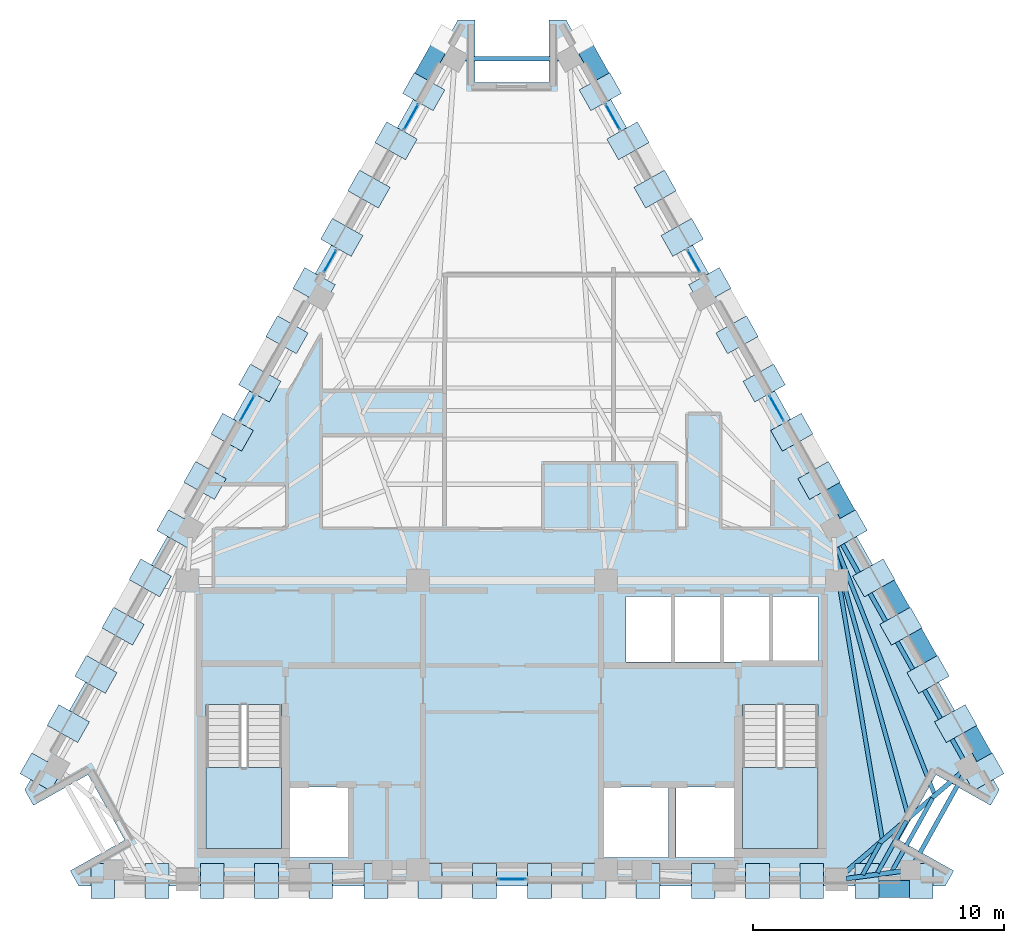
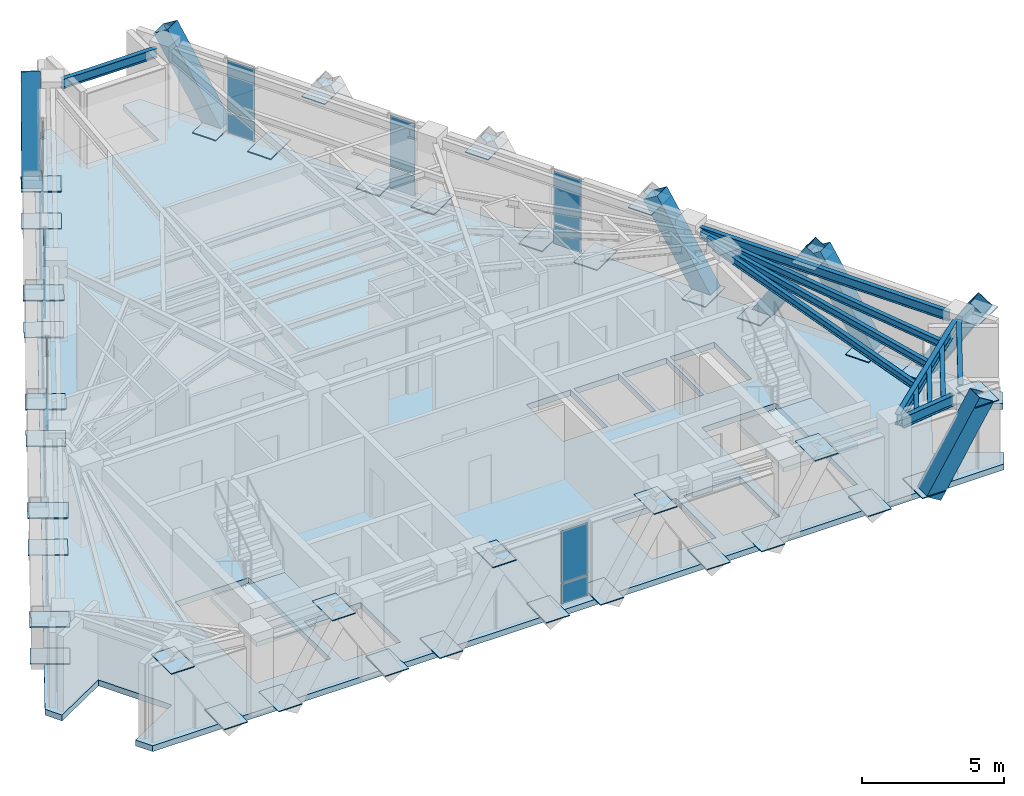
# One storey, part 4 of 9: 60 plates, 11 beams, 7 members, 3 slabs, 9 elements without a shape of their own.
"""IFC4 building model written with IfcOpenShell, lengths in metres."""

from ifc_helpers import new_model, si_unit, direction, frame, origin, origin_2d, place, context, subcontext, project, spatial, polyline, rectangle, hollow_rectangle, i_section, outline, extrude, material, layer, layer_set, material_profile, profile_set, type_object, element, aggregate, save


model = new_model("IFC4")

# Units and contexts
model_context = context("Model", 3, precision=1e-05, world=origin(), true_north=direction((0.0, 1.0)))
body_context = subcontext(model_context, "Body", "Model", "MODEL_VIEW")
ifc_project = project(units=[si_unit("LENGTHUNIT", "METRE"), si_unit("AREAUNIT", "SQUARE_METRE"), si_unit("VOLUMEUNIT", "CUBIC_METRE"), si_unit("PLANEANGLEUNIT", "RADIAN"), si_unit("MASSUNIT", "GRAM", prefix="KILO")], contexts=[model_context])

# Site, building, storey
site_placement = place(None, origin())
site = spatial("IfcSite", under=ifc_project, at=site_placement, CompositionType="ELEMENT")
building_placement = place(site_placement, origin())
building = spatial("IfcBuilding", under=site, at=building_placement, Name="Quenlor Broadcast Tower", CompositionType="ELEMENT")
storey_placement = place(building_placement, frame((0.0, 0.0, 246.39990234375)))
storey = spatial("IfcBuildingStorey", under=building, at=storey_placement, Name="L68", CompositionType="ELEMENT", Elevation=246.39990234375)

# Members
ifc_material_1 = material(Name="Steel S355", Category="steel")
ifc_material_profile_1 = material_profile(ifc_material_1, hollow_rectangle(XDim=0.679931640625, YDim=0.679931640625, WallThickness=0.02001953125, at=origin_2d()))
ifc_profile_set_1 = profile_set([ifc_material_profile_1], Name="Steel S355 RHS680x680x20")
member_type = type_object("IfcMemberType", Name="Perimeter Diagonal Lattice Brace Z5-Crown Steel S355 RHS680x20", PredefinedType="BRACE", material=ifc_profile_set_1)
member_placement = place(storey_placement, frame((14.165771484375, -17.1201171875, -0.119873046875), z_axis=(0.523616565236, 0.0, 0.85195404372), x_axis=(0.0, 1.0, 0.0)))
element("IfcMember", 1, at=member_placement, inside=storey, type_object=member_type, Name="L68 Perimeter Diamond Lattice S-C1B", PredefinedType="BRACE", context=body_context, shape_type="SweptSolid", body=[
    extrude(hollow_rectangle(XDim=0.679931640625, YDim=0.679931640625, WallThickness=0.02001953125, at=origin_2d()), origin(), (0.0, 0.0, 1.0), 4.108154296875),
])
for number, where, z_axis, x_axis, name in (
    (2, (3.813720703125, 14.864990234375, -0.119873046875), (-0.260618804175, 0.463276364439, 0.847025884529), (-0.8715547569, -0.490298180422, 0.0), "L68 Perimeter Diamond Lattice NE-C1B"),
    (3, (14.725830078125, -4.534423828125, -0.119873046875), (0.260563732169, -0.463283497491, 0.847038926161), (0.871602253711, 0.49021374045, 0.0), "L68 Perimeter Diamond Lattice NE-C4S"),
    (4, (13.622802734375, -2.573486328125, -0.119873046875), (-0.260618804175, 0.463276364439, 0.847025884529), (-0.8715547569, -0.490298180422, 0.0), "L68 Perimeter Diamond Lattice NE-C4B"),
    (5, (17.99560546875, -10.34716796875, -0.119873046875), (0.260563732169, -0.463283497491, 0.847038926161), (0.871602253711, 0.49021374045, 0.0), "L68 Perimeter Diamond Lattice NE-C5S"),
    (6, (16.892578125, -8.38623046875, -0.119873046875), (-0.260618804175, 0.463276364439, 0.847025884529), (-0.8715547569, -0.490298180422, 0.0), "L68 Perimeter Diamond Lattice NE-C5B"),
    (7, (-3.813720703125, 14.864990234375, -0.119873046875), (0.260618804175, 0.463276364439, 0.847025884529), (-0.8715547569, 0.490298180422, 0.0), "L68 Perimeter Diamond Lattice NW-C5S"),
):
    element("IfcMember", number, at=place(storey_placement, frame(where, z_axis=z_axis, x_axis=x_axis)), inside=storey, type_object=member_type, Name=name, PredefinedType="BRACE", context=body_context, shape_type="SweptSolid", body=[
        extrude(hollow_rectangle(XDim=0.679931640625, YDim=0.679931640625, WallThickness=0.02001953125, at=origin_2d()), origin(), (0.0, 0.0, 1.0), 4.132080078125),
    ])

# Beams
ifc_material_2 = material(Name="Steel S355", Category="steel")
ifc_material_profile_2 = material_profile(ifc_material_2, i_section(OverallWidth=0.177978515625, OverallDepth=0.406494140625, WebThickness=0.0078125, FlangeThickness=0.0126953125, FilletRadius=0.011474609375, at=origin_2d()))
ifc_profile_set_2 = profile_set([ifc_material_profile_2], Name="Steel S355 410UB59.7")
beam_type_1 = type_object("IfcBeamType", Name="Perimeter Spandrel Beam Z5 Steel S355 410UB59.7", PredefinedType="SPANDREL", material=ifc_profile_set_2)
beam_1_placement = place(storey_placement, frame((16.07275390625, -16.035400390625, 3.046875), z_axis=(0.486800618374, 0.873513112638, 0.0), x_axis=(-0.873513112638, 0.486800618374, 0.0)))
element("IfcBeam", 8, at=beam_1_placement, inside=storey, type_object=beam_type_1, Name="L68 Spandrel Beam S4-NE1", PredefinedType="SPANDREL", context=body_context, shape_type="SweptSolid", body=[
    extrude(i_section(OverallWidth=0.177978515625, OverallDepth=0.406494140625, WebThickness=0.0078125, FlangeThickness=0.0126953125, FilletRadius=0.011474609375, at=origin_2d()), origin(), (0.0, 0.0, 1.0), 3.9736328125),
])
beam_2_placement = place(storey_placement, frame((18.005859375, -11.93603515625, 3.046875), z_axis=(-0.490274867878, 0.871567871096, 0.0), x_axis=(-0.871567871096, -0.490274867878, 0.0)))
element("IfcBeam", 9, at=beam_2_placement, inside=storey, type_object=beam_type_1, Name="L68 Spandrel Beam NE1-NE2", PredefinedType="SPANDREL", context=body_context, shape_type="SweptSolid", body=[
    extrude(i_section(OverallWidth=0.177978515625, OverallDepth=0.406494140625, WebThickness=0.0078125, FlangeThickness=0.0126953125, FilletRadius=0.011474609375, at=origin_2d()), origin(), (0.0, 0.0, 1.0), 10.206298828125),
])
beam_3_placement = place(storey_placement, frame((1.9248046875, 16.012451171875, 3.046875), z_axis=(-1.0, 0.0, 0.0), x_axis=(0.0, -1.0, 0.0)))
element("IfcBeam", 10, at=beam_3_placement, inside=storey, type_object=beam_type_1, Name="L68 Spandrel Beam NE4-NW1", PredefinedType="SPANDREL", context=body_context, shape_type="SweptSolid", body=[
    extrude(i_section(OverallWidth=0.177978515625, OverallDepth=0.406494140625, WebThickness=0.0078125, FlangeThickness=0.0126953125, FilletRadius=0.011474609375, at=origin_2d()), origin(), (0.0, 0.0, 1.0), 3.849609375),
])
ifc_material_3 = material(Name="Steel S355", Category="steel")
ifc_material_profile_3 = material_profile(ifc_material_3, i_section(OverallWidth=0.166015625, OverallDepth=0.30712890625, WebThickness=0.006591796875, FlangeThickness=0.01171875, FilletRadius=0.011474609375, at=origin_2d()))
ifc_profile_set_3 = profile_set([ifc_material_profile_3], Name="Steel S355 310UB46.2")
beam_type_2 = type_object("IfcBeamType", Name="Tower Composite Joist Z4-Z5 Steel S355 310UB46.2", PredefinedType="JOIST", material=ifc_profile_set_3)
beam_4_placement = place(storey_placement, frame((14.76806640625, -15.09619140625, 3.096435546875), z_axis=(-0.166553293246, 0.986032454085, 0.0), x_axis=(-0.986032454085, -0.166553293246, 0.0)))
element("IfcBeam", 11, at=beam_4_placement, inside=storey, type_object=beam_type_2, Name="L68 Secondary Composite Joist 16", PredefinedType="JOIST", context=body_context, shape_type="SweptSolid", body=[
    extrude(i_section(OverallWidth=0.166015625, OverallDepth=0.30712890625, WebThickness=0.006591796875, FlangeThickness=0.01171875, FilletRadius=0.011474609375, at=origin_2d()), origin(), (0.0, 0.0, 1.0), 11.097900390625),
])
beam_5_placement = place(storey_placement, frame((15.806396484375, -14.197998046875, 3.096435546875), z_axis=(-0.26744552871, 0.96357298072, 0.0), x_axis=(-0.96357298072, -0.26744552871, 0.0)))
element("IfcBeam", 12, at=beam_5_placement, inside=storey, type_object=beam_type_2, Name="L68 Secondary Composite Joist 17", PredefinedType="JOIST", context=body_context, shape_type="SweptSolid", body=[
    extrude(i_section(OverallWidth=0.166015625, OverallDepth=0.30712890625, WebThickness=0.006591796875, FlangeThickness=0.01171875, FilletRadius=0.011474609375, at=origin_2d()), origin(), (0.0, 0.0, 1.0), 10.856689453125),
])
beam_6_placement = place(storey_placement, frame((16.8447265625, -13.300537109375, 3.096435546875), z_axis=(-0.368680258049, 0.929556274426, 0.0), x_axis=(-0.929556274426, -0.368680258049, 0.0)))
element("IfcBeam", 13, at=beam_6_placement, inside=storey, type_object=beam_type_2, Name="L68 Secondary Composite Joist 18", PredefinedType="JOIST", context=body_context, shape_type="SweptSolid", body=[
    extrude(i_section(OverallWidth=0.166015625, OverallDepth=0.30712890625, WebThickness=0.006591796875, FlangeThickness=0.01171875, FilletRadius=0.011474609375, at=origin_2d()), origin(), (0.0, 0.0, 1.0), 10.737548828125),
])
beam_7_placement = place(storey_placement, frame((13.9912109375, -16.544189453125, 3.096435546875), z_axis=(0.486624304452, 0.873611347406, 0.0), x_axis=(-0.873611347406, 0.486624304452, 0.0)))
element("IfcBeam", 14, at=beam_7_placement, inside=storey, type_object=beam_type_2, Name="L68 Secondary Composite Joist 22", PredefinedType="JOIST", context=body_context, shape_type="SweptSolid", body=[
    extrude(i_section(OverallWidth=0.166015625, OverallDepth=0.30712890625, WebThickness=0.006591796875, FlangeThickness=0.01171875, FilletRadius=0.011474609375, at=origin_2d()), origin(), (0.0, 0.0, 1.0), 1.435791015625),
])
beam_8_placement = place(storey_placement, frame((14.58056640625, -16.464111328125, 3.096435546875), z_axis=(0.486820963037, 0.873501774439, 0.0), x_axis=(-0.873501774439, 0.486820963037, 0.0)))
element("IfcBeam", 15, at=beam_8_placement, inside=storey, type_object=beam_type_2, Name="L68 Secondary Composite Joist 23", PredefinedType="JOIST", context=body_context, shape_type="SweptSolid", body=[
    extrude(i_section(OverallWidth=0.166015625, OverallDepth=0.30712890625, WebThickness=0.006591796875, FlangeThickness=0.01171875, FilletRadius=0.011474609375, at=origin_2d()), origin(), (0.0, 0.0, 1.0), 2.37451171875),
])
beam_9_placement = place(storey_placement, frame((15.170166015625, -16.384033203125, 3.096435546875), z_axis=(0.486762404011, 0.873534408046, 0.0), x_axis=(-0.873534408046, 0.486762404011, 0.0)))
element("IfcBeam", 16, at=beam_9_placement, inside=storey, type_object=beam_type_2, Name="L68 Secondary Composite Joist 24", PredefinedType="JOIST", context=body_context, shape_type="SweptSolid", body=[
    extrude(i_section(OverallWidth=0.166015625, OverallDepth=0.30712890625, WebThickness=0.006591796875, FlangeThickness=0.01171875, FilletRadius=0.011474609375, at=origin_2d()), origin(), (0.0, 0.0, 1.0), 3.313232421875),
])
ifc_material_4 = material(Name="Steel S355", Category="steel")
ifc_material_profile_4 = material_profile(ifc_material_4, i_section(OverallWidth=0.19091796875, OverallDepth=0.46044921875, WebThickness=0.010009765625, FlangeThickness=0.01611328125, FilletRadius=0.011474609375, at=origin_2d()))
ifc_profile_set_4 = profile_set([ifc_material_profile_4], Name="Steel S355 460UB82.1")
beam_type_3 = type_object("IfcBeamType", Name="Tower Primary Floor Beam Z5 Steel S355 460UB82.1", PredefinedType="BEAM", material=ifc_profile_set_4)
beam_10_placement = place(storey_placement, frame((15.541015625, -16.3984375, 3.02001953125), z_axis=(-0.990917044125, -0.134474576267, 0.0), x_axis=(0.134474576267, -0.990917044125, 0.0)))
element("IfcBeam", 17, at=beam_10_placement, inside=storey, type_object=beam_type_3, Name="L68 Primary Radial Beam S4", PredefinedType="BEAM", context=body_context, shape_type="SweptSolid", body=[
    extrude(i_section(OverallWidth=0.19091796875, OverallDepth=0.46044921875, WebThickness=0.010009765625, FlangeThickness=0.01611328125, FilletRadius=0.011474609375, at=origin_2d()), origin(), (0.0, 0.0, 1.0), 2.23486328125),
])
beam_11_placement = place(storey_placement, frame((17.909423828125, -12.484619140625, 3.02001953125), z_axis=(-0.75817030855, -0.652056579779, 0.0), x_axis=(0.652056579779, -0.75817030855, 0.0)))
element("IfcBeam", 18, at=beam_11_placement, inside=storey, type_object=beam_type_3, Name="L68 Primary Radial Beam NE1", PredefinedType="BEAM", context=body_context, shape_type="SweptSolid", body=[
    extrude(i_section(OverallWidth=0.19091796875, OverallDepth=0.46044921875, WebThickness=0.010009765625, FlangeThickness=0.01611328125, FilletRadius=0.011474609375, at=origin_2d()), origin(), (0.0, 0.0, 1.0), 6.161376953125),
])

# Curtain wall, plates
ifc_material_5 = material(Name="Architectural Terracotta and Low-E Glazing", Category="masonry")
curtain_wall_type = type_object("IfcCurtainWallType", Name="Unitised Terracotta Curtain Wall System Z5", PredefinedType="NOTDEFINED", material=ifc_material_5)
curtain_wall_1_placement = place(storey_placement, origin())
curtain_wall_1 = element("IfcCurtainWall", 19, at=curtain_wall_1_placement, inside=storey, type_object=curtain_wall_type, Name="L68 Curtain Wall CW5 (L68-S-G1)", PredefinedType="NOTDEFINED")
ifc_material_6 = material(Name="Double Glazed Low-E Solar Glass", Category="glass")
ifc_layer_1 = layer(ifc_material_6, 0.02587890625)
ifc_layer_set_1 = layer_set([ifc_layer_1], Name="CW5 Double Glazed Vision Panel 26")
plate_type_1 = type_object("IfcPlateType", Name="CW5 Double Glazed Vision Panel 26", PredefinedType="CURTAIN_PANEL", material=ifc_layer_set_1)
plate_1_placement = place(storey_placement, frame((0.0, -16.72509765625, 0.065185546875), z_axis=(0.0, 0.0, 1.0), x_axis=(-1.0, 0.0, 0.0)))
plate_1 = element("IfcPlate", 20, at=plate_1_placement, type_object=plate_type_1, Name="CW5 panel 1.1", PredefinedType="CURTAIN_PANEL", context=body_context, shape_type="SweptSolid", body=[
    extrude(rectangle(XDim=1.081298828125, YDim=0.02587890625, at=origin_2d()), origin(), (0.0, 0.0, 1.0), 0.8525390625),
])
plate_2_placement = place(storey_placement, frame((0.0, -16.72509765625, 0.982421875), z_axis=(0.0, 0.0, 1.0), x_axis=(-1.0, 0.0, 0.0)))
plate_2 = element("IfcPlate", 21, at=plate_2_placement, type_object=plate_type_1, Name="CW5 panel 1.2", PredefinedType="CURTAIN_PANEL", context=body_context, shape_type="SweptSolid", body=[
    extrude(rectangle(XDim=1.081298828125, YDim=0.02587890625, at=origin_2d()), origin(), (0.0, 0.0, 1.0), 2.202392578125),
])
aggregate(curtain_wall_1, [plate_1, plate_2])

curtain_wall_2_placement = place(storey_placement, origin())
curtain_wall_2 = element("IfcCurtainWall", 22, at=curtain_wall_2_placement, inside=storey, type_object=curtain_wall_type, Name="L68 Curtain Wall CW5 (L68-NEA-G1)", PredefinedType="NOTDEFINED")
plate_3_placement = place(storey_placement, frame((4.02099609375, 13.69091796875, 0.065185546875), z_axis=(0.0, 0.0, 1.0), x_axis=(0.49029137745, -0.871558583916, 0.0)))
plate_3 = element("IfcPlate", 23, at=plate_3_placement, type_object=plate_type_1, Name="CW5 panel 1.1", PredefinedType="CURTAIN_PANEL", context=body_context, shape_type="SweptSolid", body=[
    extrude(rectangle(XDim=1.13037109375, YDim=0.02587890625, at=origin_2d()), origin(), (0.0, 0.0, 1.0), 0.8525390625),
])
plate_4_placement = place(storey_placement, frame((4.02099609375, 13.69091796875, 0.982421875), z_axis=(0.0, 0.0, 1.0), x_axis=(0.49029137745, -0.871558583916, 0.0)))
plate_4 = element("IfcPlate", 24, at=plate_4_placement, type_object=plate_type_1, Name="CW5 panel 1.2", PredefinedType="CURTAIN_PANEL", context=body_context, shape_type="SweptSolid", body=[
    extrude(rectangle(XDim=1.13037109375, YDim=0.02587890625, at=origin_2d()), origin(), (0.0, 0.0, 1.0), 2.202392578125),
])
aggregate(curtain_wall_2, [plate_3, plate_4])

curtain_wall_3_placement = place(storey_placement, origin())
curtain_wall_3 = element("IfcCurtainWall", 25, at=curtain_wall_3_placement, inside=storey, type_object=curtain_wall_type, Name="L68 Curtain Wall CW5 (L68-NEA-G2)", PredefinedType="NOTDEFINED")
plate_5_placement = place(storey_placement, frame((7.258056640625, 7.935791015625, 0.065185546875), z_axis=(0.0, 0.0, 1.0), x_axis=(0.490282293669, -0.871563693894, 0.0)))
plate_5 = element("IfcPlate", 26, at=plate_5_placement, type_object=plate_type_1, Name="CW5 panel 1.1", PredefinedType="CURTAIN_PANEL", context=body_context, shape_type="SweptSolid", body=[
    extrude(rectangle(XDim=0.99755859375, YDim=0.02587890625, at=origin_2d()), origin(), (0.0, 0.0, 1.0), 0.8525390625),
])
plate_6_placement = place(storey_placement, frame((7.258056640625, 7.935791015625, 0.982421875), z_axis=(0.0, 0.0, 1.0), x_axis=(0.490282293669, -0.871563693894, 0.0)))
plate_6 = element("IfcPlate", 27, at=plate_6_placement, type_object=plate_type_1, Name="CW5 panel 1.2", PredefinedType="CURTAIN_PANEL", context=body_context, shape_type="SweptSolid", body=[
    extrude(rectangle(XDim=0.99755859375, YDim=0.02587890625, at=origin_2d()), origin(), (0.0, 0.0, 1.0), 2.202392578125),
])
aggregate(curtain_wall_3, [plate_5, plate_6])

curtain_wall_4_placement = place(storey_placement, origin())
curtain_wall_4 = element("IfcCurtainWall", 28, at=curtain_wall_4_placement, inside=storey, type_object=curtain_wall_type, Name="L68 Curtain Wall CW5 (L68-NE-G1)", PredefinedType="NOTDEFINED")
plate_7_placement = place(storey_placement, frame((10.560302734375, 2.065185546875, 0.065185546875), z_axis=(0.0, 0.0, 1.0), x_axis=(0.490231100048, -0.871592489955, 0.0)))
plate_7 = element("IfcPlate", 29, at=plate_7_placement, type_object=plate_type_1, Name="CW5 panel 1.1", PredefinedType="CURTAIN_PANEL", context=body_context, shape_type="SweptSolid", body=[
    extrude(rectangle(XDim=1.130126953125, YDim=0.02587890625, at=origin_2d()), origin(), (0.0, 0.0, 1.0), 0.8525390625),
])
plate_8_placement = place(storey_placement, frame((10.560302734375, 2.065185546875, 0.982421875), z_axis=(0.0, 0.0, 1.0), x_axis=(0.490231100048, -0.871592489955, 0.0)))
plate_8 = element("IfcPlate", 30, at=plate_8_placement, type_object=plate_type_1, Name="CW5 panel 1.2", PredefinedType="CURTAIN_PANEL", context=body_context, shape_type="SweptSolid", body=[
    extrude(rectangle(XDim=1.130126953125, YDim=0.02587890625, at=origin_2d()), origin(), (0.0, 0.0, 1.0), 2.202392578125),
])
aggregate(curtain_wall_4, [plate_7, plate_8])

curtain_wall_5_placement = place(storey_placement, origin())
curtain_wall_5 = element("IfcCurtainWall", 31, at=curtain_wall_5_placement, inside=storey, type_object=curtain_wall_type, Name="L68 Curtain Wall CW5 (L68-NWC-G1)", PredefinedType="NOTDEFINED")
plate_9_placement = place(storey_placement, frame((-7.258056640625, 7.935791015625, 0.065185546875), z_axis=(0.0, 0.0, 1.0), x_axis=(0.490282293669, 0.871563693894, 0.0)))
plate_9 = element("IfcPlate", 32, at=plate_9_placement, type_object=plate_type_1, Name="CW5 panel 1.1", PredefinedType="CURTAIN_PANEL", context=body_context, shape_type="SweptSolid", body=[
    extrude(rectangle(XDim=0.99755859375, YDim=0.02587890625, at=origin_2d()), origin(), (0.0, 0.0, 1.0), 0.8525390625),
])
plate_10_placement = place(storey_placement, frame((-7.258056640625, 7.935791015625, 0.982421875), z_axis=(0.0, 0.0, 1.0), x_axis=(0.490282293669, 0.871563693894, 0.0)))
plate_10 = element("IfcPlate", 33, at=plate_10_placement, type_object=plate_type_1, Name="CW5 panel 1.2", PredefinedType="CURTAIN_PANEL", context=body_context, shape_type="SweptSolid", body=[
    extrude(rectangle(XDim=0.99755859375, YDim=0.02587890625, at=origin_2d()), origin(), (0.0, 0.0, 1.0), 2.202392578125),
])
aggregate(curtain_wall_5, [plate_9, plate_10])

curtain_wall_6_placement = place(storey_placement, origin())
curtain_wall_6 = element("IfcCurtainWall", 34, at=curtain_wall_6_placement, inside=storey, type_object=curtain_wall_type, Name="L68 Curtain Wall CW5 (L68-NWC-G2)", PredefinedType="NOTDEFINED")
plate_11_placement = place(storey_placement, frame((-4.02099609375, 13.69091796875, 0.065185546875), z_axis=(0.0, 0.0, 1.0), x_axis=(0.49029137745, 0.871558583916, 0.0)))
plate_11 = element("IfcPlate", 35, at=plate_11_placement, type_object=plate_type_1, Name="CW5 panel 1.1", PredefinedType="CURTAIN_PANEL", context=body_context, shape_type="SweptSolid", body=[
    extrude(rectangle(XDim=1.13037109375, YDim=0.02587890625, at=origin_2d()), origin(), (0.0, 0.0, 1.0), 0.8525390625),
])
plate_12_placement = place(storey_placement, frame((-4.02099609375, 13.69091796875, 0.982421875), z_axis=(0.0, 0.0, 1.0), x_axis=(0.49029137745, 0.871558583916, 0.0)))
plate_12 = element("IfcPlate", 36, at=plate_12_placement, type_object=plate_type_1, Name="CW5 panel 1.2", PredefinedType="CURTAIN_PANEL", context=body_context, shape_type="SweptSolid", body=[
    extrude(rectangle(XDim=1.13037109375, YDim=0.02587890625, at=origin_2d()), origin(), (0.0, 0.0, 1.0), 2.202392578125),
])
aggregate(curtain_wall_6, [plate_11, plate_12])

curtain_wall_7_placement = place(storey_placement, origin())
curtain_wall_7 = element("IfcCurtainWall", 37, at=curtain_wall_7_placement, inside=storey, type_object=curtain_wall_type, Name="L68 Curtain Wall CW5 (L68-NW-G1)", PredefinedType="NOTDEFINED")
plate_13_placement = place(storey_placement, frame((-10.560302734375, 2.065185546875, 0.065185546875), z_axis=(0.0, 0.0, 1.0), x_axis=(0.490231100048, 0.871592489955, 0.0)))
plate_13 = element("IfcPlate", 38, at=plate_13_placement, type_object=plate_type_1, Name="CW5 panel 1.1", PredefinedType="CURTAIN_PANEL", context=body_context, shape_type="SweptSolid", body=[
    extrude(rectangle(XDim=1.130126953125, YDim=0.02587890625, at=origin_2d()), origin(), (0.0, 0.0, 1.0), 0.8525390625),
])
plate_14_placement = place(storey_placement, frame((-10.560302734375, 2.065185546875, 0.982421875), z_axis=(0.0, 0.0, 1.0), x_axis=(0.490231100048, 0.871592489955, 0.0)))
plate_14 = element("IfcPlate", 39, at=plate_14_placement, type_object=plate_type_1, Name="CW5 panel 1.2", PredefinedType="CURTAIN_PANEL", context=body_context, shape_type="SweptSolid", body=[
    extrude(rectangle(XDim=1.130126953125, YDim=0.02587890625, at=origin_2d()), origin(), (0.0, 0.0, 1.0), 2.202392578125),
])
aggregate(curtain_wall_7, [plate_13, plate_14])

# Stair, slab
ifc_material_7 = material(Name="Precast concrete C40/50", Category="concrete")
stair_type = type_object("IfcStairType", Name="Precast Concrete C40/50 Dogleg Stair H350", PredefinedType="HALF_TURN_STAIR", material=ifc_material_7)
stair_1_placement = place(storey_placement, origin())
stair_1 = element("IfcStair", 40, at=stair_1_placement, inside=storey, type_object=stair_type, Name="L68 West Core Fire-Isolated Exit Stair ST-1", PredefinedType="HALF_TURN_STAIR")
ifc_material_8 = material(Name="Precast concrete C40/50", Category="concrete")
ifc_layer_2 = layer(ifc_material_8, 0.199951171875)
ifc_layer_set_2 = layer_set([ifc_layer_2], Name="Precast Concrete C40/50 Stair Landing Slab 200")
slab_type_1 = type_object("IfcSlabType", Name="Precast Concrete C40/50 Stair Landing Slab 200", PredefinedType="LANDING", material=ifc_layer_set_2)
slab_1_placement = place(storey_placement, frame((0.0, 0.0, 1.550048828125)))
slab_1 = element("IfcSlab", 41, at=slab_1_placement, type_object=slab_type_1, Name="ST-1 landing 1", PredefinedType="LANDING", context=body_context, shape_type="SweptSolid", body=[
    extrude(outline(polyline([(-12.199951171875, -12.27001953125), (-12.199951171875, -15.5), (-9.199951171875, -15.5), (-9.199951171875, -12.27001953125), (-12.199951171875, -12.27001953125)])), origin(), (0.0, 0.0, 1.0), 0.199951171875),
])
aggregate(stair_1, [slab_1])

stair_2_placement = place(storey_placement, origin())
stair_2 = element("IfcStair", 42, at=stair_2_placement, inside=storey, type_object=stair_type, Name="L68 East Core Fire-Isolated Exit Stair ST-2", PredefinedType="HALF_TURN_STAIR")
slab_2_placement = place(storey_placement, frame((0.0, 0.0, 1.550048828125)))
slab_2 = element("IfcSlab", 43, at=slab_2_placement, type_object=slab_type_1, Name="ST-2 landing 1", PredefinedType="LANDING", context=body_context, shape_type="SweptSolid", body=[
    extrude(outline(polyline([(9.199951171875, -12.27001953125), (9.199951171875, -15.5), (12.199951171875, -15.5), (12.199951171875, -12.27001953125), (9.199951171875, -12.27001953125)])), origin(), (0.0, 0.0, 1.0), 0.199951171875),
])
aggregate(stair_2, [slab_2])

# Slab
ifc_material_9 = material(Name="Concrete C40/50", Category="concrete")
ifc_layer_3 = layer(ifc_material_9, 0.25)
ifc_layer_set_3 = layer_set([ifc_layer_3], Name="Tower Composite Concrete C40/50 Slab 250")
slab_type_2 = type_object("IfcSlabType", Name="Tower Composite Concrete C40/50 Slab 250", PredefinedType="FLOOR", material=ifc_layer_set_3)
slab_3_placement = place(storey_placement, frame((0.0, 0.0, -0.25)))
element("IfcSlab", 44, at=slab_3_placement, inside=storey, type_object=slab_type_2, Name="L68 Structural Floor Slab", PredefinedType="FLOOR", context=body_context, shape_type="SweptSolid", body=[
    extrude(outline(polyline([(17.280029296875, -17.0), (17.62548828125, -16.385498046875), (15.44677734375, -15.159912109375), (16.91552734375, -12.548583984375), (19.094482421875, -13.7744140625), (19.43994140625, -13.159912109375), (2.159912109375, 17.56005859375), (1.46875, 17.56005859375), (1.46875, 15.06005859375), (-1.46875, 15.06005859375), (-1.46875, 17.56005859375), (-2.159912109375, 17.56005859375), (-19.43994140625, -13.159912109375), (-19.094482421875, -13.7744140625), (-16.91552734375, -12.548583984375), (-15.44677734375, -15.159912109375), (-17.62548828125, -16.385498046875), (-17.280029296875, -17.0), (17.280029296875, -17.0)]), holes=[polyline([(-12.199951171875, -9.758056640625), (-12.199951171875, -15.5), (-9.199951171875, -15.5), (-9.199951171875, -9.758056640625), (-12.199951171875, -9.758056640625)]), polyline([(9.199951171875, -9.758056640625), (9.199951171875, -15.5), (12.199951171875, -15.5), (12.199951171875, -9.758056640625), (9.199951171875, -9.758056640625)]), polyline([(4.550048828125, -8.050048828125), (6.35009765625, -8.050048828125), (6.35009765625, -5.449951171875), (4.550048828125, -5.449951171875), (4.550048828125, -8.050048828125)]), polyline([(6.5, -8.050048828125), (8.300048828125, -8.050048828125), (8.300048828125, -5.449951171875), (6.5, -5.449951171875), (6.5, -8.050048828125)]), polyline([(8.449951171875, -8.050048828125), (10.25, -8.050048828125), (10.25, -5.449951171875), (8.449951171875, -5.449951171875), (8.449951171875, -8.050048828125)]), polyline([(10.39990234375, -8.050048828125), (12.199951171875, -8.050048828125), (12.199951171875, -5.449951171875), (10.39990234375, -5.449951171875), (10.39990234375, -8.050048828125)]), polyline([(-8.85009765625, -15.85009765625), (-6.550048828125, -15.85009765625), (-6.550048828125, -13.050048828125), (-8.85009765625, -13.050048828125), (-8.85009765625, -15.85009765625)]), polyline([(6.550048828125, -15.85009765625), (8.85009765625, -15.85009765625), (8.85009765625, -13.050048828125), (6.550048828125, -13.050048828125), (6.550048828125, -15.85009765625)]), polyline([(3.64990234375, -15.85009765625), (6.25, -15.85009765625), (6.25, -13.050048828125), (3.64990234375, -13.050048828125), (3.64990234375, -15.85009765625)])]), origin(), (0.0, 0.0, 1.0), 0.25),
])

# Plates
ifc_material_10 = material(Name="Steel S355", Category="steel")
ifc_layer_4 = layer(ifc_material_10, 0.035888671875)
ifc_layer_set_4 = layer_set([ifc_layer_4], Name="Transfer Truss Steel S355 Gusset Node Plate 1400x950x36")
plate_type_2 = type_object("IfcPlateType", Name="Transfer Truss Steel S355 Gusset Node Plate 1400x950x36", PredefinedType="SHEET", material=ifc_layer_set_4)
for number, where, z_axis, x_axis, name in (
    (45, (11.96240234375, -16.784912109375, 0.0419921875), (0.0, 0.0, 1.0), (0.0, -1.0, 0.0), "L68 Lattice Tie Gusset Node S-B2"),
    (46, (9.798095703125, -16.784912109375, 3.18212890625), (0.0, 0.0, 1.0), (0.0, -1.0, 0.0), "L68 Lattice Tie Gusset Node S-T3"),
    (47, (14.165771484375, -16.784912109375, 0.0419921875), (0.0, 0.0, 1.0), (0.0, -1.0, 0.0), "L68 Lattice Tie Gusset Node S-B1"),
    (48, (16.330078125, -16.784912109375, 3.18212890625), (0.0, 0.0, 1.0), (0.0, -1.0, 0.0), "L68 Lattice Tie Gusset Node S-T0"),
    (49, (5.430419921875, -16.784912109375, 0.0419921875), (0.0, 0.0, 1.0), (0.0, -1.0, 0.0), "L68 Lattice Tie Gusset Node S-B5"),
    (50, (3.26611328125, -16.784912109375, 3.18212890625), (0.0, 0.0, 1.0), (0.0, -1.0, 0.0), "L68 Lattice Tie Gusset Node S-T6"),
    (51, (7.6337890625, -16.784912109375, 0.0419921875), (0.0, 0.0, 1.0), (0.0, -1.0, 0.0), "L68 Lattice Tie Gusset Node S-B4"),
    (52, (-1.101806640625, -16.784912109375, 0.0419921875), (0.0, 0.0, 1.0), (0.0, -1.0, 0.0), "L68 Lattice Tie Gusset Node S-B8"),
    (53, (-3.26611328125, -16.784912109375, 3.18212890625), (0.0, 0.0, 1.0), (0.0, -1.0, 0.0), "L68 Lattice Tie Gusset Node S-T9"),
    (54, (1.101806640625, -16.784912109375, 0.0419921875), (0.0, 0.0, 1.0), (0.0, -1.0, 0.0), "L68 Lattice Tie Gusset Node S-B7"),
    (55, (-7.6337890625, -16.784912109375, 0.0419921875), (0.0, 0.0, 1.0), (0.0, -1.0, 0.0), "L68 Lattice Tie Gusset Node S-B11"),
    (56, (-9.798095703125, -16.784912109375, 3.18212890625), (0.0, 0.0, 1.0), (0.0, -1.0, 0.0), "L68 Lattice Tie Gusset Node S-T12"),
    (57, (-5.430419921875, -16.784912109375, 0.0419921875), (0.0, 0.0, 1.0), (0.0, -1.0, 0.0), "L68 Lattice Tie Gusset Node S-B10"),
    (58, (-14.165771484375, -16.784912109375, 0.0419921875), (0.0, 0.0, 1.0), (0.0, -1.0, 0.0), "L68 Lattice Tie Gusset Node S-B14"),
    (59, (-16.330078125, -16.784912109375, 3.18212890625), (0.0, 0.0, 1.0), (0.0, -1.0, 0.0), "L68 Lattice Tie Gusset Node S-T15"),
    (60, (-11.96240234375, -16.784912109375, 0.0419921875), (0.0, 0.0, 1.0), (0.0, -1.0, 0.0), "L68 Lattice Tie Gusset Node S-B13"),
    (61, (4.624755859375, 12.73974609375, 0.0419921875), (0.0, 0.0, 1.0), (0.871556314255, 0.490295412055, 0.0), "L68 Lattice Tie Gusset Node NE-B2"),
    (62, (5.7080078125, 10.813720703125, 3.18212890625), (0.0, 0.0, 1.0), (0.871556314255, 0.490295412055, 0.0), "L68 Lattice Tie Gusset Node NE-T3"),
    (63, (3.521728515625, 14.70068359375, 0.0419921875), (0.0, 0.0, 1.0), (0.871556314255, 0.490295412055, 0.0), "L68 Lattice Tie Gusset Node NE-B1"),
    (64, (7.894287109375, 6.927001953125, 0.0419921875), (0.0, 0.0, 1.0), (0.871556314255, 0.490295412055, 0.0), "L68 Lattice Tie Gusset Node NE-B5"),
    (65, (8.977783203125, 5.0009765625, 3.18212890625), (0.0, 0.0, 1.0), (0.871556314255, 0.490295412055, 0.0), "L68 Lattice Tie Gusset Node NE-T6"),
    (66, (6.79150390625, 8.8876953125, 0.0419921875), (0.0, 0.0, 1.0), (0.871556314255, 0.490295412055, 0.0), "L68 Lattice Tie Gusset Node NE-B4"),
    (67, (11.1640625, 1.1142578125, 0.0419921875), (0.0, 0.0, 1.0), (0.871556314255, 0.490295412055, 0.0), "L68 Lattice Tie Gusset Node NE-B8"),
    (68, (12.247314453125, -0.811767578125, 3.18212890625), (0.0, 0.0, 1.0), (0.871556314255, 0.490295412055, 0.0), "L68 Lattice Tie Gusset Node NE-T9"),
    (69, (10.06103515625, 3.074951171875, 0.0419921875), (0.0, 0.0, 1.0), (0.871556314255, 0.490295412055, 0.0), "L68 Lattice Tie Gusset Node NE-B7"),
    (70, (14.433837890625, -4.698486328125, 0.0419921875), (0.0, 0.0, 1.0), (0.871556314255, 0.490295412055, 0.0), "L68 Lattice Tie Gusset Node NE-B11"),
    (71, (15.51708984375, -6.62451171875, 3.18212890625), (0.0, 0.0, 1.0), (0.871556314255, 0.490295412055, 0.0), "L68 Lattice Tie Gusset Node NE-T12"),
    (72, (13.330810546875, -2.73779296875, 0.0419921875), (0.0, 0.0, 1.0), (0.871556314255, 0.490295412055, 0.0), "L68 Lattice Tie Gusset Node NE-B10"),
    (73, (17.70361328125, -10.511474609375, 0.0419921875), (0.0, 0.0, 1.0), (0.871556314255, 0.490295412055, 0.0), "L68 Lattice Tie Gusset Node NE-B14"),
    (74, (18.786865234375, -12.4375, 3.18212890625), (0.0, 0.0, 1.0), (0.871556314255, 0.490295412055, 0.0), "L68 Lattice Tie Gusset Node NE-T15"),
    (75, (16.6005859375, -8.550537109375, 0.0419921875), (0.0, 0.0, 1.0), (0.871556314255, 0.490295412055, 0.0), "L68 Lattice Tie Gusset Node NE-B13"),
    (76, (-16.6005859375, -8.550537109375, 0.0419921875), (0.0, 0.0, 1.0), (-0.871556314255, 0.490295412055, 0.0), "L68 Lattice Tie Gusset Node NW-B2"),
    (77, (-15.51708984375, -6.62451171875, 3.18212890625), (0.0, 0.0, 1.0), (-0.871556314255, 0.490295412055, 0.0), "L68 Lattice Tie Gusset Node NW-T3"),
    (78, (-17.70361328125, -10.511474609375, 0.0419921875), (0.0, 0.0, 1.0), (-0.871556314255, 0.490295412055, 0.0), "L68 Lattice Tie Gusset Node NW-B1"),
    (79, (-18.786865234375, -12.4375, 3.18212890625), (0.0, 0.0, 1.0), (-0.871556314255, 0.490295412055, 0.0), "L68 Lattice Tie Gusset Node NW-T0"),
    (80, (-13.330810546875, -2.73779296875, 0.0419921875), (0.0, 0.0, 1.0), (-0.871556314255, 0.490295412055, 0.0), "L68 Lattice Tie Gusset Node NW-B5"),
    (81, (-12.247314453125, -0.811767578125, 3.18212890625), (0.0, 0.0, 1.0), (-0.871556314255, 0.490295412055, 0.0), "L68 Lattice Tie Gusset Node NW-T6"),
    (82, (-14.433837890625, -4.698486328125, 0.0419921875), (0.0, 0.0, 1.0), (-0.871556314255, 0.490295412055, 0.0), "L68 Lattice Tie Gusset Node NW-B4"),
    (83, (-10.06103515625, 3.074951171875, 0.0419921875), (0.0, 0.0, 1.0), (-0.871556314255, 0.490295412055, 0.0), "L68 Lattice Tie Gusset Node NW-B8"),
    (84, (-8.977783203125, 5.0009765625, 3.18212890625), (0.0, 0.0, 1.0), (-0.871556314255, 0.490295412055, 0.0), "L68 Lattice Tie Gusset Node NW-T9"),
    (85, (-11.1640625, 1.1142578125, 0.0419921875), (0.0, 0.0, 1.0), (-0.871556314255, 0.490295412055, 0.0), "L68 Lattice Tie Gusset Node NW-B7"),
    (86, (-6.79150390625, 8.8876953125, 0.0419921875), (0.0, 0.0, 1.0), (-0.871556314255, 0.490295412055, 0.0), "L68 Lattice Tie Gusset Node NW-B11"),
    (87, (-5.7080078125, 10.813720703125, 3.18212890625), (0.0, 0.0, 1.0), (-0.871556314255, 0.490295412055, 0.0), "L68 Lattice Tie Gusset Node NW-T12"),
    (88, (-7.894287109375, 6.927001953125, 0.0419921875), (0.0, 0.0, 1.0), (-0.871556314255, 0.490295412055, 0.0), "L68 Lattice Tie Gusset Node NW-B10"),
    (89, (-3.521728515625, 14.70068359375, 0.0419921875), (0.0, 0.0, 1.0), (-0.871556314255, 0.490295412055, 0.0), "L68 Lattice Tie Gusset Node NW-B14"),
    (90, (-4.624755859375, 12.73974609375, 0.0419921875), (0.0, 0.0, 1.0), (-0.871556314255, 0.490295412055, 0.0), "L68 Lattice Tie Gusset Node NW-B13"),
):
    element("IfcPlate", number, at=place(storey_placement, frame(where, z_axis=z_axis, x_axis=x_axis)), inside=storey, type_object=plate_type_2, Name=name, PredefinedType="SHEET", context=body_context, shape_type="SweptSolid", body=[
        extrude(rectangle(XDim=1.39990234375, YDim=0.949951171875, at=origin_2d()), origin(), (0.0, 0.0, 1.0), 0.035888671875),
    ])

save(model, "model.ifc")
